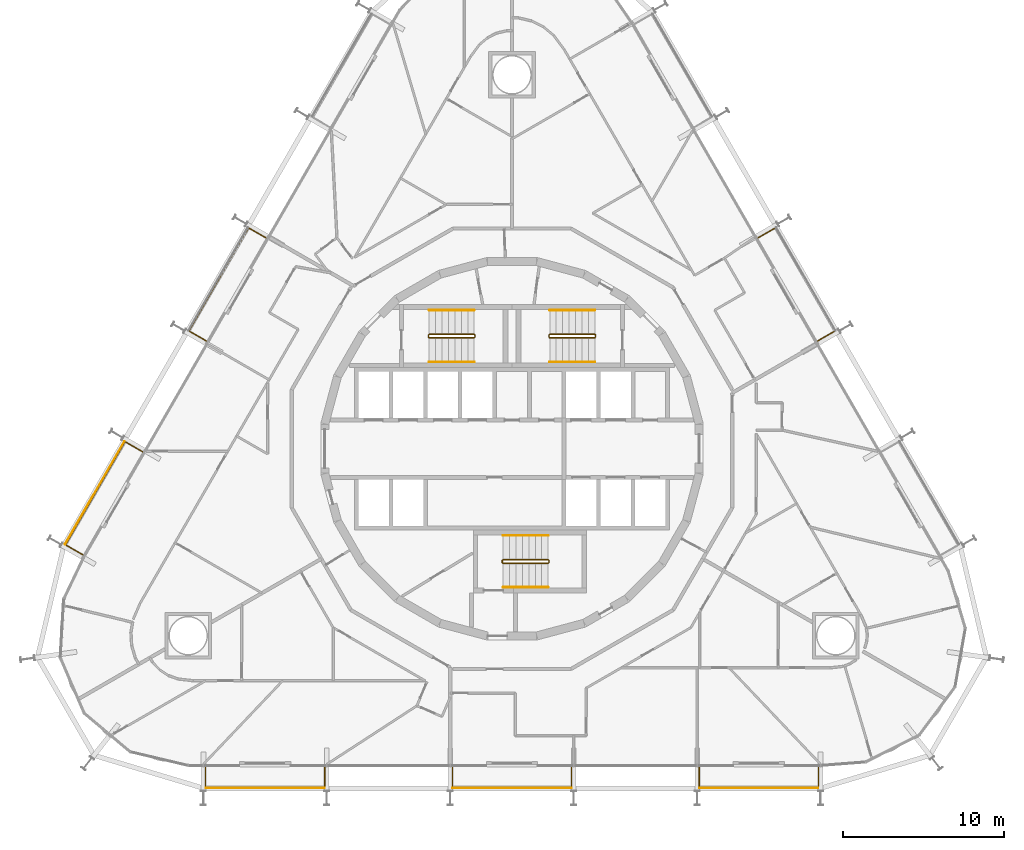
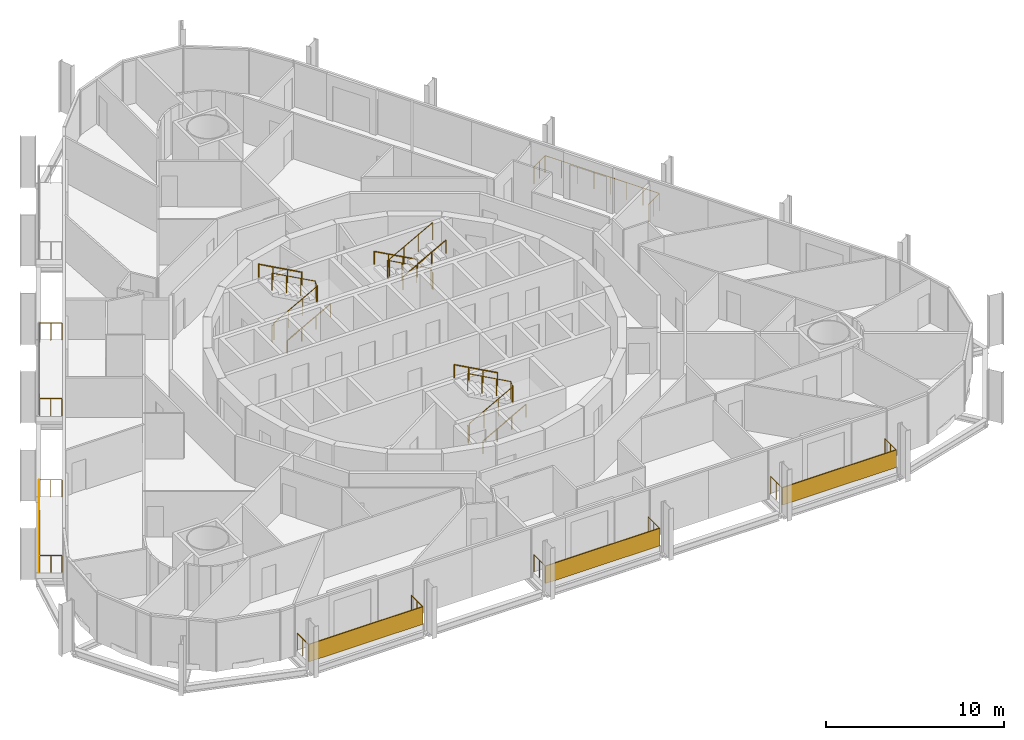
# One storey, part 20 of 21: 15 railings, 4 shading devices.
"""IFC4 building model written with IfcOpenShell, lengths in metres."""

from ifc_helpers import new_model, si_unit, direction, frame, origin, origin_2d, place, context, subcontext, project, spatial, rectangle, circle, extrude, material, layer, layer_set, type_object, element, save


model = new_model("IFC4")

# Units and contexts
model_context = context("Model", 3, precision=1e-05, world=origin(), true_north=direction((0.0, 1.0)))
body_context = subcontext(model_context, "Body", "Model", "MODEL_VIEW")
ifc_project = project(units=[si_unit("LENGTHUNIT", "METRE"), si_unit("AREAUNIT", "SQUARE_METRE"), si_unit("VOLUMEUNIT", "CUBIC_METRE"), si_unit("PLANEANGLEUNIT", "RADIAN"), si_unit("MASSUNIT", "GRAM", prefix="KILO")], contexts=[model_context])

# Site, building, storey
site_placement = place(None, origin())
site = spatial("IfcSite", under=ifc_project, at=site_placement, CompositionType="ELEMENT")
building_placement = place(site_placement, origin())
building = spatial("IfcBuilding", under=site, at=building_placement, Name="Spindle Arch Residences", CompositionType="ELEMENT")
storey_placement = place(building_placement, frame((0.0, 0.0, 55.89990234375)))
storey = spatial("IfcBuildingStorey", under=building, at=storey_placement, Name="L12", CompositionType="ELEMENT", Elevation=55.89990234375)

# Railings
ifc_material_1 = material(Name="Bronze anodised aluminium guard with glass infill", Category="aluminium")
railing_type_1 = type_object("IfcRailingType", Name="Balcony guard 1200", PredefinedType="GUARDRAIL", material=ifc_material_1)
railing_1_placement = place(storey_placement, frame((11.655029296875, -19.81982421875, 0.0)))
element("IfcRailing", 1, at=railing_1_placement, inside=storey, type_object=railing_type_1, Name="Guard L12 bay 2", PredefinedType="GUARDRAIL", context=body_context, shape_type="SweptSolid", body=[
    extrude(circle(Radius=0.02392578125, at=origin_2d()), frame((0.0, 0.0, 1.17578125), z_axis=(0.0, -1.0, 0.0), x_axis=(1.0, 0.0, 0.0)), (0.0, 0.0, 1.0), 1.25),
    extrude(circle(Radius=0.02392578125, at=origin_2d()), frame((0.0, -1.25, 1.17578125), z_axis=(1.0, 0.0, 0.0), x_axis=(0.0, 1.0, 0.0)), (0.0, 0.0, 1.0), 7.41015625),
    extrude(circle(Radius=0.02392578125, at=origin_2d()), frame((7.41015625, -1.25, 1.17578125), z_axis=(0.0, 1.0, 0.0), x_axis=(-1.0, 0.0, 0.0)), (0.0, 0.0, 1.0), 1.25),
    extrude(circle(Radius=0.02099609375, at=origin_2d()), origin(), (0.0, 0.0, 1.0), 1.15185546875),
    extrude(circle(Radius=0.02099609375, at=origin_2d()), frame((0.0, -0.625, 0.0)), (0.0, 0.0, 1.0), 1.15185546875),
    extrude(circle(Radius=0.02099609375, at=origin_2d()), frame((0.0, -1.25, 0.0)), (0.0, 0.0, 1.0), 1.15185546875),
    extrude(circle(Radius=0.02099609375, at=origin_2d()), frame((1.05859375, -1.25, 0.0)), (0.0, 0.0, 1.0), 1.15185546875),
    extrude(circle(Radius=0.02099609375, at=origin_2d()), frame((2.1171875, -1.25, 0.0)), (0.0, 0.0, 1.0), 1.15185546875),
    extrude(circle(Radius=0.02099609375, at=origin_2d()), frame((3.17578125, -1.25, 0.0)), (0.0, 0.0, 1.0), 1.15185546875),
    extrude(circle(Radius=0.02099609375, at=origin_2d()), frame((4.234375, -1.25, 0.0)), (0.0, 0.0, 1.0), 1.15185546875),
    extrude(circle(Radius=0.02099609375, at=origin_2d()), frame((5.29296875, -1.25, 0.0)), (0.0, 0.0, 1.0), 1.15185546875),
    extrude(circle(Radius=0.02099609375, at=origin_2d()), frame((6.3515625, -1.25, 0.0)), (0.0, 0.0, 1.0), 1.15185546875),
    extrude(circle(Radius=0.02099609375, at=origin_2d()), frame((7.41015625, -1.25, 0.0)), (0.0, 0.0, 1.0), 1.15185546875),
    extrude(circle(Radius=0.02099609375, at=origin_2d()), frame((7.41015625, -0.625, 0.0)), (0.0, 0.0, 1.0), 1.15185546875),
    extrude(circle(Radius=0.02099609375, at=origin_2d()), frame((7.41015625, 0.0, 0.0)), (0.0, 0.0, 1.0), 1.15185546875),
])
railing_2_placement = place(storey_placement, frame((19.01708984375, 6.701416015625, 0.0)))
element("IfcRailing", 2, at=railing_2_placement, inside=storey, type_object=railing_type_1, Name="Guard L12 bay 8", PredefinedType="GUARDRAIL", context=body_context, shape_type="SweptSolid", body=[
    extrude(circle(Radius=0.02392578125, at=origin_2d()), frame((0.0, 0.0, 1.17578125), z_axis=(0.866022959057, 0.500004234368, 0.0), x_axis=(-0.500004234368, 0.866022959057, 0.0)), (0.0, 0.0, 1.0), 1.25),
    extrude(circle(Radius=0.02392578125, at=origin_2d()), frame((1.08251953125, 0.625, 1.17578125), z_axis=(-0.500008603535, 0.866020436474, 0.0), x_axis=(-0.866020436474, -0.500008603535, 0.0)), (0.0, 0.0, 1.0), 7.409912109375),
    extrude(circle(Radius=0.02392578125, at=origin_2d()), frame((-2.62255859375, 7.042236328125, 1.17578125), z_axis=(-0.866022959057, -0.500004234368, 0.0), x_axis=(0.500004234368, -0.866022959057, 0.0)), (0.0, 0.0, 1.0), 1.25),
    extrude(circle(Radius=0.02099609375, at=origin_2d()), origin(), (0.0, 0.0, 1.0), 1.15185546875),
    extrude(circle(Radius=0.02099609375, at=origin_2d()), frame((0.541259765625, 0.3125, 0.0)), (0.0, 0.0, 1.0), 1.15185546875),
    extrude(circle(Radius=0.02099609375, at=origin_2d()), frame((1.08251953125, 0.625, 0.0)), (0.0, 0.0, 1.0), 1.15185546875),
    extrude(circle(Radius=0.02099609375, at=origin_2d()), frame((0.55322265625, 1.541748046875, 0.0)), (0.0, 0.0, 1.0), 1.15185546875),
    extrude(circle(Radius=0.02099609375, at=origin_2d()), frame((0.02392578125, 2.45849609375, 0.0)), (0.0, 0.0, 1.0), 1.15185546875),
    extrude(circle(Radius=0.02099609375, at=origin_2d()), frame((-0.50537109375, 3.375244140625, 0.0)), (0.0, 0.0, 1.0), 1.15185546875),
    extrude(circle(Radius=0.02099609375, at=origin_2d()), frame((-1.03466796875, 4.2919921875, 0.0)), (0.0, 0.0, 1.0), 1.15185546875),
    extrude(circle(Radius=0.02099609375, at=origin_2d()), frame((-1.56396484375, 5.208740234375, 0.0)), (0.0, 0.0, 1.0), 1.15185546875),
    extrude(circle(Radius=0.02099609375, at=origin_2d()), frame((-2.09326171875, 6.12548828125, 0.0)), (0.0, 0.0, 1.0), 1.15185546875),
    extrude(circle(Radius=0.02099609375, at=origin_2d()), frame((-2.62255859375, 7.042236328125, 0.0)), (0.0, 0.0, 1.0), 1.15185546875),
    extrude(circle(Radius=0.02099609375, at=origin_2d()), frame((-3.163818359375, 6.729736328125, 0.0)), (0.0, 0.0, 1.0), 1.15185546875),
    extrude(circle(Radius=0.02099609375, at=origin_2d()), frame((-3.705078125, 6.417236328125, 0.0)), (0.0, 0.0, 1.0), 1.15185546875),
])
railing_3_placement = place(storey_placement, frame((-15.31201171875, 13.11865234375, 0.0)))
element("IfcRailing", 3, at=railing_3_placement, inside=storey, type_object=railing_type_1, Name="Guard L12 bay 16", PredefinedType="GUARDRAIL", context=body_context, shape_type="SweptSolid", body=[
    extrude(circle(Radius=0.02392578125, at=origin_2d()), frame((0.0, 0.0, 1.17578125), z_axis=(-0.866022959057, 0.500004234368, 0.0), x_axis=(-0.500004234368, -0.866022959057, 0.0)), (0.0, 0.0, 1.0), 1.25),
    extrude(circle(Radius=0.02392578125, at=origin_2d()), frame((-1.08251953125, 0.625, 1.17578125), z_axis=(-0.500008603535, -0.866020436474, 0.0), x_axis=(0.866020436474, -0.500008603535, 0.0)), (0.0, 0.0, 1.0), 7.409912109375),
    extrude(circle(Radius=0.02392578125, at=origin_2d()), frame((-4.78759765625, -5.792236328125, 1.17578125), z_axis=(0.866022959057, -0.500004234368, 0.0), x_axis=(0.500004234368, 0.866022959057, 0.0)), (0.0, 0.0, 1.0), 1.25),
    extrude(circle(Radius=0.02099609375, at=origin_2d()), origin(), (0.0, 0.0, 1.0), 1.15185546875),
    extrude(circle(Radius=0.02099609375, at=origin_2d()), frame((-0.541259765625, 0.3125, 0.0)), (0.0, 0.0, 1.0), 1.15185546875),
    extrude(circle(Radius=0.02099609375, at=origin_2d()), frame((-1.08251953125, 0.625, 0.0)), (0.0, 0.0, 1.0), 1.15185546875),
    extrude(circle(Radius=0.02099609375, at=origin_2d()), frame((-1.61181640625, -0.291748046875, 0.0)), (0.0, 0.0, 1.0), 1.15185546875),
    extrude(circle(Radius=0.02099609375, at=origin_2d()), frame((-2.14111328125, -1.20849609375, 0.0)), (0.0, 0.0, 1.0), 1.15185546875),
    extrude(circle(Radius=0.02099609375, at=origin_2d()), frame((-2.67041015625, -2.125244140625, 0.0)), (0.0, 0.0, 1.0), 1.15185546875),
    extrude(circle(Radius=0.02099609375, at=origin_2d()), frame((-3.19970703125, -3.0419921875, 0.0)), (0.0, 0.0, 1.0), 1.15185546875),
    extrude(circle(Radius=0.02099609375, at=origin_2d()), frame((-3.72900390625, -3.958740234375, 0.0)), (0.0, 0.0, 1.0), 1.15185546875),
    extrude(circle(Radius=0.02099609375, at=origin_2d()), frame((-4.25830078125, -4.87548828125, 0.0)), (0.0, 0.0, 1.0), 1.15185546875),
    extrude(circle(Radius=0.02099609375, at=origin_2d()), frame((-4.78759765625, -5.792236328125, 0.0)), (0.0, 0.0, 1.0), 1.15185546875),
    extrude(circle(Radius=0.02099609375, at=origin_2d()), frame((-4.246337890625, -6.104736328125, 0.0)), (0.0, 0.0, 1.0), 1.15185546875),
    extrude(circle(Radius=0.02099609375, at=origin_2d()), frame((-3.705078125, -6.417236328125, 0.0)), (0.0, 0.0, 1.0), 1.15185546875),
])
railing_4_placement = place(storey_placement, frame((-22.9921875, -0.18359375, 0.0)))
element("IfcRailing", 4, at=railing_4_placement, inside=storey, type_object=railing_type_1, Name="Guard L12 bay 18", PredefinedType="GUARDRAIL", context=body_context, shape_type="SweptSolid", body=[
    extrude(circle(Radius=0.02392578125, at=origin_2d()), frame((0.0, 0.0, 1.17578125), z_axis=(-0.866022959057, 0.500004234368, 0.0), x_axis=(-0.500004234368, -0.866022959057, 0.0)), (0.0, 0.0, 1.0), 1.25),
    extrude(circle(Radius=0.02392578125, at=origin_2d()), frame((-1.08251953125, 0.625, 1.17578125), z_axis=(-0.499994337101, -0.866028673236, 0.0), x_axis=(0.866028673236, -0.499994337101, 0.0)), (0.0, 0.0, 1.0), 7.41015625),
    extrude(circle(Radius=0.02392578125, at=origin_2d()), frame((-4.78759765625, -5.79248046875, 1.17578125), z_axis=(0.866071776036, -0.499919672301, 0.0), x_axis=(0.499919672301, 0.866071776036, 0.0)), (0.0, 0.0, 1.0), 1.250244140625),
    extrude(circle(Radius=0.02099609375, at=origin_2d()), origin(), (0.0, 0.0, 1.0), 1.15185546875),
    extrude(circle(Radius=0.02099609375, at=origin_2d()), frame((-0.541259765625, 0.3125, 0.0)), (0.0, 0.0, 1.0), 1.15185546875),
    extrude(circle(Radius=0.02099609375, at=origin_2d()), frame((-1.08251953125, 0.625, 0.0)), (0.0, 0.0, 1.0), 1.15185546875),
    extrude(circle(Radius=0.02099609375, at=origin_2d()), frame((-1.61181640625, -0.291748046875, 0.0)), (0.0, 0.0, 1.0), 1.15185546875),
    extrude(circle(Radius=0.02099609375, at=origin_2d()), frame((-2.14111328125, -1.20849609375, 0.0)), (0.0, 0.0, 1.0), 1.15185546875),
    extrude(circle(Radius=0.02099609375, at=origin_2d()), frame((-2.67041015625, -2.125244140625, 0.0)), (0.0, 0.0, 1.0), 1.15185546875),
    extrude(circle(Radius=0.02099609375, at=origin_2d()), frame((-3.19970703125, -3.042236328125, 0.0)), (0.0, 0.0, 1.0), 1.15185546875),
    extrude(circle(Radius=0.02099609375, at=origin_2d()), frame((-3.72900390625, -3.958984375, 0.0)), (0.0, 0.0, 1.0), 1.15185546875),
    extrude(circle(Radius=0.02099609375, at=origin_2d()), frame((-4.25830078125, -4.875732421875, 0.0)), (0.0, 0.0, 1.0), 1.15185546875),
    extrude(circle(Radius=0.02099609375, at=origin_2d()), frame((-4.78759765625, -5.79248046875, 0.0)), (0.0, 0.0, 1.0), 1.15185546875),
    extrude(circle(Radius=0.02099609375, at=origin_2d()), frame((-4.24609375, -6.10498046875, 0.0)), (0.0, 0.0, 1.0), 1.15185546875),
    extrude(circle(Radius=0.02099609375, at=origin_2d()), frame((-3.704833984375, -6.41748046875, 0.0)), (0.0, 0.0, 1.0), 1.15185546875),
])
railing_5_placement = place(storey_placement, frame((-19.065185546875, -19.81982421875, 0.0)))
element("IfcRailing", 5, at=railing_5_placement, inside=storey, type_object=railing_type_1, Name="Guard L12 bay 22", PredefinedType="GUARDRAIL", context=body_context, shape_type="SweptSolid", body=[
    extrude(circle(Radius=0.02392578125, at=origin_2d()), frame((0.0, 0.0, 1.17578125), z_axis=(0.0, -1.0, 0.0), x_axis=(1.0, 0.0, 0.0)), (0.0, 0.0, 1.0), 1.25),
    extrude(circle(Radius=0.02392578125, at=origin_2d()), frame((0.0, -1.25, 1.17578125), z_axis=(1.0, 0.0, 0.0), x_axis=(0.0, 1.0, 0.0)), (0.0, 0.0, 1.0), 7.41015625),
    extrude(circle(Radius=0.02392578125, at=origin_2d()), frame((7.41015625, -1.25, 1.17578125), z_axis=(0.0, 1.0, 0.0), x_axis=(-1.0, 0.0, 0.0)), (0.0, 0.0, 1.0), 1.25),
    extrude(circle(Radius=0.02099609375, at=origin_2d()), origin(), (0.0, 0.0, 1.0), 1.15185546875),
    extrude(circle(Radius=0.02099609375, at=origin_2d()), frame((0.0, -0.625, 0.0)), (0.0, 0.0, 1.0), 1.15185546875),
    extrude(circle(Radius=0.02099609375, at=origin_2d()), frame((0.0, -1.25, 0.0)), (0.0, 0.0, 1.0), 1.15185546875),
    extrude(circle(Radius=0.02099609375, at=origin_2d()), frame((1.05859375, -1.25, 0.0)), (0.0, 0.0, 1.0), 1.15185546875),
    extrude(circle(Radius=0.02099609375, at=origin_2d()), frame((2.1171875, -1.25, 0.0)), (0.0, 0.0, 1.0), 1.15185546875),
    extrude(circle(Radius=0.02099609375, at=origin_2d()), frame((3.17578125, -1.25, 0.0)), (0.0, 0.0, 1.0), 1.15185546875),
    extrude(circle(Radius=0.02099609375, at=origin_2d()), frame((4.234375, -1.25, 0.0)), (0.0, 0.0, 1.0), 1.15185546875),
    extrude(circle(Radius=0.02099609375, at=origin_2d()), frame((5.29296875, -1.25, 0.0)), (0.0, 0.0, 1.0), 1.15185546875),
    extrude(circle(Radius=0.02099609375, at=origin_2d()), frame((6.3515625, -1.25, 0.0)), (0.0, 0.0, 1.0), 1.15185546875),
    extrude(circle(Radius=0.02099609375, at=origin_2d()), frame((7.41015625, -1.25, 0.0)), (0.0, 0.0, 1.0), 1.15185546875),
    extrude(circle(Radius=0.02099609375, at=origin_2d()), frame((7.41015625, -0.625, 0.0)), (0.0, 0.0, 1.0), 1.15185546875),
    extrude(circle(Radius=0.02099609375, at=origin_2d()), frame((7.41015625, 0.0, 0.0)), (0.0, 0.0, 1.0), 1.15185546875),
])
railing_6_placement = place(storey_placement, frame((-3.705078125, -19.81982421875, 0.0)))
element("IfcRailing", 6, at=railing_6_placement, inside=storey, type_object=railing_type_1, Name="Guard L12 bay 24", PredefinedType="GUARDRAIL", context=body_context, shape_type="SweptSolid", body=[
    extrude(circle(Radius=0.02392578125, at=origin_2d()), frame((0.0, 0.0, 1.17578125), z_axis=(0.0, -1.0, 0.0), x_axis=(1.0, 0.0, 0.0)), (0.0, 0.0, 1.0), 1.25),
    extrude(circle(Radius=0.02392578125, at=origin_2d()), frame((0.0, -1.25, 1.17578125), z_axis=(1.0, 0.0, 0.0), x_axis=(0.0, 1.0, 0.0)), (0.0, 0.0, 1.0), 7.41015625),
    extrude(circle(Radius=0.02392578125, at=origin_2d()), frame((7.41015625, -1.25, 1.17578125), z_axis=(0.0, 1.0, 0.0), x_axis=(-1.0, 0.0, 0.0)), (0.0, 0.0, 1.0), 1.25),
    extrude(circle(Radius=0.02099609375, at=origin_2d()), origin(), (0.0, 0.0, 1.0), 1.15185546875),
    extrude(circle(Radius=0.02099609375, at=origin_2d()), frame((0.0, -0.625, 0.0)), (0.0, 0.0, 1.0), 1.15185546875),
    extrude(circle(Radius=0.02099609375, at=origin_2d()), frame((0.0, -1.25, 0.0)), (0.0, 0.0, 1.0), 1.15185546875),
    extrude(circle(Radius=0.02099609375, at=origin_2d()), frame((1.05859375, -1.25, 0.0)), (0.0, 0.0, 1.0), 1.15185546875),
    extrude(circle(Radius=0.02099609375, at=origin_2d()), frame((2.1171875, -1.25, 0.0)), (0.0, 0.0, 1.0), 1.15185546875),
    extrude(circle(Radius=0.02099609375, at=origin_2d()), frame((3.17578125, -1.25, 0.0)), (0.0, 0.0, 1.0), 1.15185546875),
    extrude(circle(Radius=0.02099609375, at=origin_2d()), frame((4.234375, -1.25, 0.0)), (0.0, 0.0, 1.0), 1.15185546875),
    extrude(circle(Radius=0.02099609375, at=origin_2d()), frame((5.29296875, -1.25, 0.0)), (0.0, 0.0, 1.0), 1.15185546875),
    extrude(circle(Radius=0.02099609375, at=origin_2d()), frame((6.3515625, -1.25, 0.0)), (0.0, 0.0, 1.0), 1.15185546875),
    extrude(circle(Radius=0.02099609375, at=origin_2d()), frame((7.41015625, -1.25, 0.0)), (0.0, 0.0, 1.0), 1.15185546875),
    extrude(circle(Radius=0.02099609375, at=origin_2d()), frame((7.41015625, -0.625, 0.0)), (0.0, 0.0, 1.0), 1.15185546875),
    extrude(circle(Radius=0.02099609375, at=origin_2d()), frame((7.41015625, 0.0, 0.0)), (0.0, 0.0, 1.0), 1.15185546875),
])

# Shading devices
ifc_material_2 = material(Name="Bronze perforated cobogo screen")
ifc_layer = layer(ifc_material_2, 0.0390625)
ifc_layer_set = layer_set([ifc_layer], Name="Cobogo screen 1200")
shading_device_type = type_object("IfcShadingDeviceType", Name="Cobogo screen 1200", PredefinedType="USERDEFINED", material=ifc_layer_set)
for number, where, z_axis, x_axis, name in (
    (7, (15.360107421875, -21.1103515625, 0.0), (0.0, 0.0, 1.0), (1.0, 0.0, 0.0), "Cobogo screen L12 bay 2"),
    (8, (-25.962158203125, -2.7470703125, 0.0), (0.0, 0.0, 1.0), (-0.5, -0.866025403784, 0.0), "Cobogo screen L12 bay 18"),
    (9, (-15.360107421875, -21.1103515625, 0.0), (0.0, 0.0, 1.0), (1.0, 0.0, 0.0), "Cobogo screen L12 bay 22"),
    (10, (0.0, -21.1103515625, 0.0), (0.0, 0.0, 1.0), (1.0, 0.0, 0.0), "Cobogo screen L12 bay 24"),
):
    element("IfcShadingDevice", number, at=place(storey_placement, frame(where, z_axis=z_axis, x_axis=x_axis)), inside=storey, type_object=shading_device_type, Name=name, ObjectType="SCREEN", PredefinedType="USERDEFINED", context=body_context, shape_type="SweptSolid", body=[
        extrude(rectangle(XDim=7.41015625, YDim=0.0390625, at=origin_2d()), origin(), (0.0, 0.0, 1.0), 1.199951171875),
    ])

# Railings
ifc_material_3 = material(Name="Steel, painted", Category="steel")
railing_type_2 = type_object("IfcRailingType", Name="Stair guard 1100", PredefinedType="GUARDRAIL", material=ifc_material_3)
railing_7_placement = place(storey_placement, frame((5.14990234375, 6.89990234375, 3.5)))
element("IfcRailing", 11, at=railing_7_placement, inside=storey, type_object=railing_type_2, Name="L12 ST1 stair guard 1", PredefinedType="GUARDRAIL", context=body_context, shape_type="SweptSolid", body=[
    extrude(circle(Radius=0.02392578125, at=origin_2d()), frame((0.0, 0.0, 1.17578125), z_axis=(-0.877357048833, 0.0, -0.479838106931), x_axis=(0.0, -1.0, 0.0)), (0.0, 0.0, 1.0), 3.191162109375),
    extrude(circle(Radius=0.02392578125, at=origin_2d()), frame((-2.7998046875, 0.0, -0.35546875), z_axis=(-0.217683172539, 0.217683172539, -0.951434744366), x_axis=(-0.707106781187, -0.707106781187, 0.0)), (0.0, 0.0, 1.0), 0.22998046875),
    extrude(circle(Radius=0.02392578125, at=origin_2d()), frame((-2.849853515625, 0.050048828125, -0.57421875), z_axis=(0.0, 1.0, 0.0), x_axis=(-1.0, 0.0, 0.0)), (0.0, 0.0, 1.0), 0.1201171875),
    extrude(circle(Radius=0.02392578125, at=origin_2d()), frame((-2.849853515625, 0.170166015625, -0.57421875), z_axis=(0.707106781187, 0.707106781187, 0.0), x_axis=(-0.707106781187, 0.707106781187, 0.0)), (0.0, 0.0, 1.0), 0.07080078125),
    extrude(circle(Radius=0.02392578125, at=origin_2d()), frame((-2.7998046875, 0.22021484375, -0.57421875), z_axis=(0.877357048833, 0.0, -0.479838106931), x_axis=(0.0, 1.0, 0.0)), (0.0, 0.0, 1.0), 3.191162109375),
    extrude(circle(Radius=0.02392578125, at=origin_2d()), frame((0.0, 0.22021484375, -2.10546875), z_axis=(0.217683172539, -0.217683172539, -0.951434744366), x_axis=(0.707106781187, 0.707106781187, 0.0)), (0.0, 0.0, 1.0), 0.22998046875),
    extrude(circle(Radius=0.02392578125, at=origin_2d()), frame((0.050048828125, 0.170166015625, -2.32421875), z_axis=(0.0, -1.0, 0.0), x_axis=(1.0, 0.0, 0.0)), (0.0, 0.0, 1.0), 0.1201171875),
    extrude(circle(Radius=0.02099609375, at=origin_2d()), origin(), (0.0, 0.0, 1.0), 1.15185546875),
    extrude(circle(Radius=0.02099609375, at=origin_2d()), frame((-0.933349609375, 0.0, -0.510498046875)), (0.0, 0.0, 1.0), 1.15185546875),
    extrude(circle(Radius=0.02099609375, at=origin_2d()), frame((-1.866455078125, 0.0, -1.020751953125)), (0.0, 0.0, 1.0), 1.15185546875),
    extrude(circle(Radius=0.02099609375, at=origin_2d()), frame((-2.7998046875, 0.0, -1.53125)), (0.0, 0.0, 1.0), 1.15185546875),
    extrude(circle(Radius=0.02099609375, at=origin_2d()), frame((-2.849853515625, 0.050048828125, -1.75)), (0.0, 0.0, 1.0), 1.15185546875),
    extrude(circle(Radius=0.02099609375, at=origin_2d()), frame((-2.849853515625, 0.170166015625, -1.75)), (0.0, 0.0, 1.0), 1.15185546875),
    extrude(circle(Radius=0.02099609375, at=origin_2d()), frame((-2.7998046875, 0.22021484375, -1.75)), (0.0, 0.0, 1.0), 1.15185546875),
    extrude(circle(Radius=0.02099609375, at=origin_2d()), frame((-1.866455078125, 0.22021484375, -2.260498046875)), (0.0, 0.0, 1.0), 1.15185546875),
    extrude(circle(Radius=0.02099609375, at=origin_2d()), frame((-0.933349609375, 0.22021484375, -2.770751953125)), (0.0, 0.0, 1.0), 1.15185546875),
    extrude(circle(Radius=0.02099609375, at=origin_2d()), frame((0.0, 0.22021484375, -3.28125)), (0.0, 0.0, 1.0), 1.15185546875),
    extrude(circle(Radius=0.02099609375, at=origin_2d()), frame((0.050048828125, 0.170166015625, -3.5)), (0.0, 0.0, 1.0), 1.15185546875),
    extrude(circle(Radius=0.02099609375, at=origin_2d()), frame((0.050048828125, 0.050048828125, -3.5)), (0.0, 0.0, 1.0), 1.15185546875),
])
railing_8_placement = place(storey_placement, frame((-5.14990234375, 7.1201171875, 3.5)))
element("IfcRailing", 12, at=railing_8_placement, inside=storey, type_object=railing_type_2, Name="L12 ST2 stair guard 1", PredefinedType="GUARDRAIL", context=body_context, shape_type="SweptSolid", body=[
    extrude(circle(Radius=0.02392578125, at=origin_2d()), frame((0.0, 0.0, 1.17578125), z_axis=(0.877357048833, 0.0, -0.479838106931), x_axis=(0.0, 1.0, 0.0)), (0.0, 0.0, 1.0), 3.191162109375),
    extrude(circle(Radius=0.02392578125, at=origin_2d()), frame((2.7998046875, 0.0, -0.35546875), z_axis=(0.217683172539, -0.217683172539, -0.951434744366), x_axis=(0.707106781187, 0.707106781187, 0.0)), (0.0, 0.0, 1.0), 0.22998046875),
    extrude(circle(Radius=0.02392578125, at=origin_2d()), frame((2.849853515625, -0.050048828125, -0.57421875), z_axis=(0.0, -1.0, 0.0), x_axis=(1.0, 0.0, 0.0)), (0.0, 0.0, 1.0), 0.1201171875),
    extrude(circle(Radius=0.02392578125, at=origin_2d()), frame((2.849853515625, -0.170166015625, -0.57421875), z_axis=(-0.707106781187, -0.707106781187, 0.0), x_axis=(0.707106781187, -0.707106781187, 0.0)), (0.0, 0.0, 1.0), 0.07080078125),
    extrude(circle(Radius=0.02392578125, at=origin_2d()), frame((2.7998046875, -0.22021484375, -0.57421875), z_axis=(-0.877357048833, 0.0, -0.479838106931), x_axis=(0.0, -1.0, 0.0)), (0.0, 0.0, 1.0), 3.191162109375),
    extrude(circle(Radius=0.02392578125, at=origin_2d()), frame((0.0, -0.22021484375, -2.10546875), z_axis=(-0.217683172539, 0.217683172539, -0.951434744366), x_axis=(-0.707106781187, -0.707106781187, 0.0)), (0.0, 0.0, 1.0), 0.22998046875),
    extrude(circle(Radius=0.02392578125, at=origin_2d()), frame((-0.050048828125, -0.170166015625, -2.32421875), z_axis=(0.0, 1.0, 0.0), x_axis=(-1.0, 0.0, 0.0)), (0.0, 0.0, 1.0), 0.1201171875),
    extrude(circle(Radius=0.02099609375, at=origin_2d()), origin(), (0.0, 0.0, 1.0), 1.15185546875),
    extrude(circle(Radius=0.02099609375, at=origin_2d()), frame((0.933349609375, 0.0, -0.510498046875)), (0.0, 0.0, 1.0), 1.15185546875),
    extrude(circle(Radius=0.02099609375, at=origin_2d()), frame((1.866455078125, 0.0, -1.020751953125)), (0.0, 0.0, 1.0), 1.15185546875),
    extrude(circle(Radius=0.02099609375, at=origin_2d()), frame((2.7998046875, 0.0, -1.53125)), (0.0, 0.0, 1.0), 1.15185546875),
    extrude(circle(Radius=0.02099609375, at=origin_2d()), frame((2.849853515625, -0.050048828125, -1.75)), (0.0, 0.0, 1.0), 1.15185546875),
    extrude(circle(Radius=0.02099609375, at=origin_2d()), frame((2.849853515625, -0.170166015625, -1.75)), (0.0, 0.0, 1.0), 1.15185546875),
    extrude(circle(Radius=0.02099609375, at=origin_2d()), frame((2.7998046875, -0.22021484375, -1.75)), (0.0, 0.0, 1.0), 1.15185546875),
    extrude(circle(Radius=0.02099609375, at=origin_2d()), frame((1.866455078125, -0.22021484375, -2.260498046875)), (0.0, 0.0, 1.0), 1.15185546875),
    extrude(circle(Radius=0.02099609375, at=origin_2d()), frame((0.933349609375, -0.22021484375, -2.770751953125)), (0.0, 0.0, 1.0), 1.15185546875),
    extrude(circle(Radius=0.02099609375, at=origin_2d()), frame((0.0, -0.22021484375, -3.28125)), (0.0, 0.0, 1.0), 1.15185546875),
    extrude(circle(Radius=0.02099609375, at=origin_2d()), frame((-0.050048828125, -0.170166015625, -3.5)), (0.0, 0.0, 1.0), 1.15185546875),
    extrude(circle(Radius=0.02099609375, at=origin_2d()), frame((-0.050048828125, -0.050048828125, -3.5)), (0.0, 0.0, 1.0), 1.15185546875),
])
railing_9_placement = place(storey_placement, frame((-0.550048828125, -6.89990234375, 3.5)))
element("IfcRailing", 13, at=railing_9_placement, inside=storey, type_object=railing_type_2, Name="L12 ST3 stair guard 1", PredefinedType="GUARDRAIL", context=body_context, shape_type="SweptSolid", body=[
    extrude(circle(Radius=0.02392578125, at=origin_2d()), frame((0.0, 0.0, 1.17578125), z_axis=(0.877374661878, 0.0, -0.479805901063), x_axis=(0.0, 1.0, 0.0)), (0.0, 0.0, 1.0), 3.19140625),
    extrude(circle(Radius=0.02392578125, at=origin_2d()), frame((2.800048828125, 0.0, -0.35546875), z_axis=(0.217683172539, -0.217683172539, -0.951434744366), x_axis=(0.707106781187, 0.707106781187, 0.0)), (0.0, 0.0, 1.0), 0.22998046875),
    extrude(circle(Radius=0.02392578125, at=origin_2d()), frame((2.85009765625, -0.050048828125, -0.57421875), z_axis=(0.0, -1.0, 0.0), x_axis=(1.0, 0.0, 0.0)), (0.0, 0.0, 1.0), 0.1201171875),
    extrude(circle(Radius=0.02392578125, at=origin_2d()), frame((2.85009765625, -0.170166015625, -0.57421875), z_axis=(-0.707106781187, -0.707106781187, 0.0), x_axis=(0.707106781187, -0.707106781187, 0.0)), (0.0, 0.0, 1.0), 0.07080078125),
    extrude(circle(Radius=0.02392578125, at=origin_2d()), frame((2.800048828125, -0.22021484375, -0.57421875), z_axis=(-0.877374661878, 0.0, -0.479805901063), x_axis=(0.0, -1.0, 0.0)), (0.0, 0.0, 1.0), 3.19140625),
    extrude(circle(Radius=0.02392578125, at=origin_2d()), frame((0.0, -0.22021484375, -2.10546875), z_axis=(-0.217683172539, 0.217683172539, -0.951434744366), x_axis=(-0.707106781187, -0.707106781187, 0.0)), (0.0, 0.0, 1.0), 0.22998046875),
    extrude(circle(Radius=0.02392578125, at=origin_2d()), frame((-0.050048828125, -0.170166015625, -2.32421875), z_axis=(0.0, 1.0, 0.0), x_axis=(-1.0, 0.0, 0.0)), (0.0, 0.0, 1.0), 0.1201171875),
    extrude(circle(Radius=0.02099609375, at=origin_2d()), origin(), (0.0, 0.0, 1.0), 1.15185546875),
    extrude(circle(Radius=0.02099609375, at=origin_2d()), frame((0.933349609375, 0.0, -0.510498046875)), (0.0, 0.0, 1.0), 1.15185546875),
    extrude(circle(Radius=0.02099609375, at=origin_2d()), frame((1.86669921875, 0.0, -1.020751953125)), (0.0, 0.0, 1.0), 1.15185546875),
    extrude(circle(Radius=0.02099609375, at=origin_2d()), frame((2.800048828125, 0.0, -1.53125)), (0.0, 0.0, 1.0), 1.15185546875),
    extrude(circle(Radius=0.02099609375, at=origin_2d()), frame((2.85009765625, -0.050048828125, -1.75)), (0.0, 0.0, 1.0), 1.15185546875),
    extrude(circle(Radius=0.02099609375, at=origin_2d()), frame((2.85009765625, -0.170166015625, -1.75)), (0.0, 0.0, 1.0), 1.15185546875),
    extrude(circle(Radius=0.02099609375, at=origin_2d()), frame((2.800048828125, -0.22021484375, -1.75)), (0.0, 0.0, 1.0), 1.15185546875),
    extrude(circle(Radius=0.02099609375, at=origin_2d()), frame((1.86669921875, -0.22021484375, -2.260498046875)), (0.0, 0.0, 1.0), 1.15185546875),
    extrude(circle(Radius=0.02099609375, at=origin_2d()), frame((0.933349609375, -0.22021484375, -2.770751953125)), (0.0, 0.0, 1.0), 1.15185546875),
    extrude(circle(Radius=0.02099609375, at=origin_2d()), frame((0.0, -0.22021484375, -3.28125)), (0.0, 0.0, 1.0), 1.15185546875),
    extrude(circle(Radius=0.02099609375, at=origin_2d()), frame((-0.050048828125, -0.170166015625, -3.5)), (0.0, 0.0, 1.0), 1.15185546875),
    extrude(circle(Radius=0.02099609375, at=origin_2d()), frame((-0.050048828125, -0.050048828125, -3.5)), (0.0, 0.0, 1.0), 1.15185546875),
])
ifc_material_4 = material(Name="Steel, painted", Category="steel")
railing_type_3 = type_object("IfcRailingType", Name="Stair handrail 900", PredefinedType="HANDRAIL", material=ifc_material_4)
railing_10_placement = place(storey_placement, frame((5.14990234375, 8.6201171875, 0.21875)))
element("IfcRailing", 14, at=railing_10_placement, inside=storey, type_object=railing_type_3, Name="L12 ST1 stair handrail 1", PredefinedType="HANDRAIL", context=body_context, shape_type="SweptSolid", body=[
    extrude(circle(Radius=0.02392578125, at=origin_2d()), frame((0.0, 0.0, 0.8759765625), z_axis=(-0.877357048833, 0.0, 0.479838106931), x_axis=(0.0, -1.0, 0.0)), (0.0, 0.0, 1.0), 3.191162109375),
    extrude(circle(Radius=0.02099609375, at=origin_2d()), origin(), (0.0, 0.0, 1.0), 0.851806640625),
    extrude(circle(Radius=0.02099609375, at=origin_2d()), frame((-0.933349609375, 0.0, 0.510498046875)), (0.0, 0.0, 1.0), 0.851806640625),
    extrude(circle(Radius=0.02099609375, at=origin_2d()), frame((-1.866455078125, 0.0, 1.020751953125)), (0.0, 0.0, 1.0), 0.851806640625),
    extrude(circle(Radius=0.02099609375, at=origin_2d()), frame((-2.7998046875, 0.0, 1.53125)), (0.0, 0.0, 1.0), 0.851806640625),
])
for number, where, name in (
    (15, (2.35009765625, 5.39990234375, 1.96875), "L12 ST1 stair handrail 2"),
    (16, (-5.14990234375, 5.39990234375, 0.21875), "L12 ST2 stair handrail 1"),
):
    element("IfcRailing", number, at=place(storey_placement, frame(where)), inside=storey, type_object=railing_type_3, Name=name, PredefinedType="HANDRAIL", context=body_context, shape_type="SweptSolid", body=[
        extrude(circle(Radius=0.02392578125, at=origin_2d()), frame((0.0, 0.0, 0.8759765625), z_axis=(0.877357048833, 0.0, 0.479838106931), x_axis=(0.0, 1.0, 0.0)), (0.0, 0.0, 1.0), 3.191162109375),
        extrude(circle(Radius=0.02099609375, at=origin_2d()), origin(), (0.0, 0.0, 1.0), 0.851806640625),
        extrude(circle(Radius=0.02099609375, at=origin_2d()), frame((0.933349609375, 0.0, 0.510498046875)), (0.0, 0.0, 1.0), 0.851806640625),
        extrude(circle(Radius=0.02099609375, at=origin_2d()), frame((1.866455078125, 0.0, 1.020751953125)), (0.0, 0.0, 1.0), 0.851806640625),
        extrude(circle(Radius=0.02099609375, at=origin_2d()), frame((2.7998046875, 0.0, 1.53125)), (0.0, 0.0, 1.0), 0.851806640625),
    ])
railing_11_placement = place(storey_placement, frame((-2.35009765625, 8.6201171875, 1.96875)))
element("IfcRailing", 17, at=railing_11_placement, inside=storey, type_object=railing_type_3, Name="L12 ST2 stair handrail 2", PredefinedType="HANDRAIL", context=body_context, shape_type="SweptSolid", body=[
    extrude(circle(Radius=0.02392578125, at=origin_2d()), frame((0.0, 0.0, 0.8759765625), z_axis=(-0.877357048833, 0.0, 0.479838106931), x_axis=(0.0, -1.0, 0.0)), (0.0, 0.0, 1.0), 3.191162109375),
    extrude(circle(Radius=0.02099609375, at=origin_2d()), origin(), (0.0, 0.0, 1.0), 0.851806640625),
    extrude(circle(Radius=0.02099609375, at=origin_2d()), frame((-0.933349609375, 0.0, 0.510498046875)), (0.0, 0.0, 1.0), 0.851806640625),
    extrude(circle(Radius=0.02099609375, at=origin_2d()), frame((-1.866455078125, 0.0, 1.020751953125)), (0.0, 0.0, 1.0), 0.851806640625),
    extrude(circle(Radius=0.02099609375, at=origin_2d()), frame((-2.7998046875, 0.0, 1.53125)), (0.0, 0.0, 1.0), 0.851806640625),
])
railing_12_placement = place(storey_placement, frame((-0.550048828125, -8.6201171875, 0.21875)))
element("IfcRailing", 18, at=railing_12_placement, inside=storey, type_object=railing_type_3, Name="L12 ST3 stair handrail 1", PredefinedType="HANDRAIL", context=body_context, shape_type="SweptSolid", body=[
    extrude(circle(Radius=0.02392578125, at=origin_2d()), frame((0.0, 0.0, 0.8759765625), z_axis=(0.877374661878, 0.0, 0.479805901063), x_axis=(0.0, 1.0, 0.0)), (0.0, 0.0, 1.0), 3.19140625),
    extrude(circle(Radius=0.02099609375, at=origin_2d()), origin(), (0.0, 0.0, 1.0), 0.851806640625),
    extrude(circle(Radius=0.02099609375, at=origin_2d()), frame((0.933349609375, 0.0, 0.510498046875)), (0.0, 0.0, 1.0), 0.851806640625),
    extrude(circle(Radius=0.02099609375, at=origin_2d()), frame((1.86669921875, 0.0, 1.020751953125)), (0.0, 0.0, 1.0), 0.851806640625),
    extrude(circle(Radius=0.02099609375, at=origin_2d()), frame((2.800048828125, 0.0, 1.53125)), (0.0, 0.0, 1.0), 0.851806640625),
])
railing_13_placement = place(storey_placement, frame((2.25, -5.39990234375, 1.96875)))
element("IfcRailing", 19, at=railing_13_placement, inside=storey, type_object=railing_type_3, Name="L12 ST3 stair handrail 2", PredefinedType="HANDRAIL", context=body_context, shape_type="SweptSolid", body=[
    extrude(circle(Radius=0.02392578125, at=origin_2d()), frame((0.0, 0.0, 0.8759765625), z_axis=(-0.877374661878, 0.0, 0.479805901063), x_axis=(0.0, -1.0, 0.0)), (0.0, 0.0, 1.0), 3.19140625),
    extrude(circle(Radius=0.02099609375, at=origin_2d()), origin(), (0.0, 0.0, 1.0), 0.851806640625),
    extrude(circle(Radius=0.02099609375, at=origin_2d()), frame((-0.933349609375, 0.0, 0.510498046875)), (0.0, 0.0, 1.0), 0.851806640625),
    extrude(circle(Radius=0.02099609375, at=origin_2d()), frame((-1.86669921875, 0.0, 1.020751953125)), (0.0, 0.0, 1.0), 0.851806640625),
    extrude(circle(Radius=0.02099609375, at=origin_2d()), frame((-2.800048828125, 0.0, 1.53125)), (0.0, 0.0, 1.0), 0.851806640625),
])

save(model, "model.ifc")
